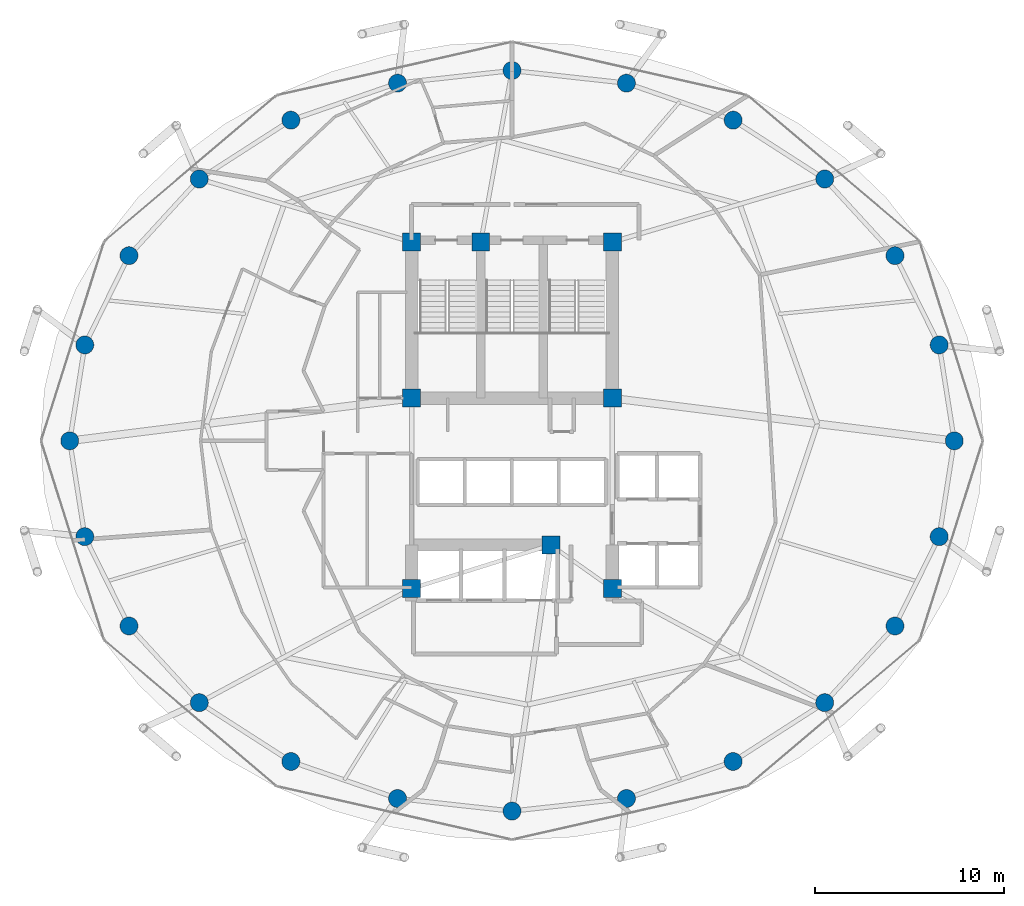
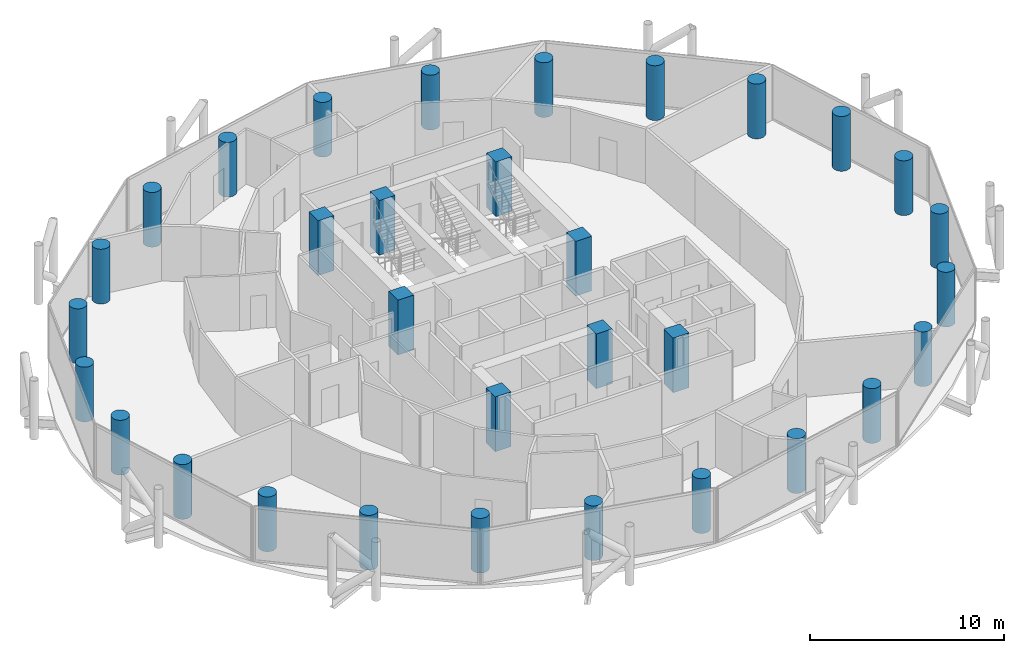
# One storey, part 1 of 26: 32 columns.
"""IFC4 building model written with IfcOpenShell, lengths in metres."""

from ifc_helpers import new_model, si_unit, direction, frame, origin, origin_2d, place, context, subcontext, project, spatial, rectangle, circle, extrude, material, material_profile, profile_set, type_object, element, save


model = new_model("IFC4")

# Units and contexts
model_context = context("Model", 3, precision=1e-05, world=origin(), true_north=direction((0.0, 1.0)))
body_context = subcontext(model_context, "Body", "Model", "MODEL_VIEW")
ifc_project = project(units=[si_unit("LENGTHUNIT", "METRE"), si_unit("AREAUNIT", "SQUARE_METRE"), si_unit("VOLUMEUNIT", "CUBIC_METRE"), si_unit("PLANEANGLEUNIT", "RADIAN"), si_unit("MASSUNIT", "GRAM", prefix="KILO")], contexts=[model_context])

# Site, building, storey
site_placement = place(None, origin())
site = spatial("IfcSite", under=ifc_project, at=site_placement, CompositionType="ELEMENT")
building_placement = place(site_placement, origin())
building = spatial("IfcBuilding", under=site, at=building_placement, Name="Nuhasar Tower", CompositionType="ELEMENT")
storey_placement = place(building_placement, frame((0.0, 0.0, 147.85009765625)))
storey = spatial("IfcBuildingStorey", under=building, at=storey_placement, Name="L35", CompositionType="ELEMENT", Elevation=147.85009765625)

# Columns
ifc_material = material(Name="Concrete C65/80", Category="concrete")
ifc_material_profile_1 = material_profile(ifc_material, circle(Radius=0.47509765625, at=origin_2d()), Name="CFT950")
ifc_profile_set_1 = profile_set([ifc_material_profile_1], Name="Concrete C65/80")
column_type_1 = type_object("IfcColumnType", Name="COL-CFT-950", PredefinedType="COLUMN", material=ifc_profile_set_1)
for number, where, z_axis, x_axis, name in (
    (1, (62.35009765625, 26.800048828125, 0.0), (0.0, 0.0, 1.0), (1.0, 0.0, 0.0), "L35 Perimeter Composite Column TC-01"),
    (2, (61.553955078125, 31.860107421875, 0.0), (0.0, 0.0, 1.0), (1.0, 0.0, 0.0), "L35 Perimeter Composite Column TC-02"),
    (3, (59.221923828125, 36.574951171875, 0.0), (0.0, 0.0, 1.0), (1.0, 0.0, 0.0), "L35 Perimeter Composite Column TC-03"),
    (4, (55.510986328125, 40.6240234375, 0.0), (0.0, 0.0, 1.0), (1.0, 0.0, 0.0), "L35 Perimeter Composite Column TC-04"),
    (5, (50.675048828125, 43.73095703125, 0.0), (0.0, 0.0, 1.0), (1.0, 0.0, 0.0), "L35 Perimeter Composite Column TC-05"),
    (6, (45.04296875, 45.68408203125, 0.0), (0.0, 0.0, 1.0), (1.0, 0.0, 0.0), "L35 Perimeter Composite Column TC-06"),
    (7, (39.0, 46.35009765625, 0.0), (0.0, 0.0, 1.0), (1.0, 0.0, 0.0), "L35 Perimeter Composite Column TC-07"),
    (8, (32.95703125, 45.68408203125, 0.0), (0.0, 0.0, 1.0), (1.0, 0.0, 0.0), "L35 Perimeter Composite Column TC-08"),
    (9, (27.324951171875, 43.73095703125, 0.0), (0.0, 0.0, 1.0), (1.0, 0.0, 0.0), "L35 Perimeter Composite Column TC-09"),
    (10, (22.489013671875, 40.6240234375, 0.0), (0.0, 0.0, 1.0), (1.0, 0.0, 0.0), "L35 Perimeter Composite Column TC-10"),
    (11, (18.778076171875, 36.574951171875, 0.0), (0.0, 0.0, 1.0), (1.0, 0.0, 0.0), "L35 Perimeter Composite Column TC-11"),
    (12, (16.446044921875, 31.860107421875, 0.0), (0.0, 0.0, 1.0), (1.0, 0.0, 0.0), "L35 Perimeter Composite Column TC-12"),
    (13, (15.64990234375, 26.800048828125, 0.0), (0.0, 0.0, 1.0), (1.0, 0.0, 0.0), "L35 Perimeter Composite Column TC-13"),
    (14, (16.446044921875, 21.739990234375, 0.0), (0.0, 0.0, 1.0), (1.0, 0.0, 0.0), "L35 Perimeter Composite Column TC-14"),
    (15, (18.778076171875, 17.02490234375, 0.0), (0.0, 0.0, 1.0), (1.0, 0.0, 0.0), "L35 Perimeter Composite Column TC-15"),
    (16, (22.489013671875, 12.97607421875, 0.0), (0.0, 0.0, 1.0), (1.0, 0.0, 0.0), "L35 Perimeter Composite Column TC-16"),
    (17, (27.324951171875, 9.868896484375, 0.0), (0.0, 0.0, 1.0), (1.0, 0.0, 0.0), "L35 Perimeter Composite Column TC-17"),
    (18, (32.95703125, 7.916015625, 0.0), (0.0, 0.0, 1.0), (1.0, 0.0, 0.0), "L35 Perimeter Composite Column TC-18"),
    (19, (39.0, 7.25, 0.0), (0.0, 0.0, 1.0), (1.0, 0.0, 0.0), "L35 Perimeter Composite Column TC-19"),
    (20, (45.04296875, 7.916015625, 0.0), (0.0, 0.0, 1.0), (1.0, 0.0, 0.0), "L35 Perimeter Composite Column TC-20"),
    (21, (50.675048828125, 9.868896484375, 0.0), (0.0, 0.0, 1.0), (1.0, 0.0, 0.0), "L35 Perimeter Composite Column TC-21"),
    (22, (55.510986328125, 12.97607421875, 0.0), (0.0, 0.0, 1.0), (1.0, 0.0, 0.0), "L35 Perimeter Composite Column TC-22"),
    (23, (59.221923828125, 17.02490234375, 0.0), (0.0, 0.0, 1.0), (1.0, 0.0, 0.0), "L35 Perimeter Composite Column TC-23"),
    (24, (61.553955078125, 21.739990234375, 0.0), (0.0, 0.0, 1.0), (1.0, 0.0, 0.0), "L35 Perimeter Composite Column TC-24"),
):
    element("IfcColumn", number, at=place(storey_placement, frame(where, z_axis=z_axis, x_axis=x_axis)), inside=storey, type_object=column_type_1, Name=name, PredefinedType="COLUMN", context=body_context, shape_type="SweptSolid", body=[
        extrude(circle(Radius=0.47509765625, at=origin_2d()), origin(), (0.0, 0.0, 1.0), 3.449951171875),
    ])
ifc_material_profile_2 = material_profile(ifc_material, rectangle(XDim=0.949951171875, YDim=0.949951171875, at=origin_2d()), Name="RC950X950")
ifc_profile_set_2 = profile_set([ifc_material_profile_2], Name="Concrete C65/80")
column_type_2 = type_object("IfcColumnType", Name="PIL-RC-950", PredefinedType="PILASTER", material=ifc_profile_set_2)
for number, where, z_axis, x_axis, name in (
    (25, (33.699951171875, 19.0, 0.0), (0.0, 0.0, 1.0), (1.0, 0.0, 0.0), "L35 Core Boundary Pilaster CC-01"),
    (26, (41.050048828125, 21.300048828125, 0.0), (0.0, 0.0, 1.0), (1.0, 0.0, 0.0), "L35 Core Boundary Pilaster CC-02"),
    (27, (44.300048828125, 19.0, 0.0), (0.0, 0.0, 1.0), (1.0, 0.0, 0.0), "L35 Core Boundary Pilaster CC-03"),
    (28, (44.300048828125, 29.050048828125, 0.0), (0.0, 0.0, 1.0), (1.0, 0.0, 0.0), "L35 Core Boundary Pilaster CC-04"),
    (29, (44.300048828125, 37.300048828125, 0.0), (0.0, 0.0, 1.0), (1.0, 0.0, 0.0), "L35 Core Boundary Pilaster CC-05"),
    (30, (37.35009765625, 37.300048828125, 0.0), (0.0, 0.0, 1.0), (1.0, 0.0, 0.0), "L35 Core Boundary Pilaster CC-06"),
    (31, (33.699951171875, 37.300048828125, 0.0), (0.0, 0.0, 1.0), (1.0, 0.0, 0.0), "L35 Core Boundary Pilaster CC-07"),
    (32, (33.699951171875, 29.050048828125, 0.0), (0.0, 0.0, 1.0), (1.0, 0.0, 0.0), "L35 Core Boundary Pilaster CC-08"),
):
    element("IfcColumn", number, at=place(storey_placement, frame(where, z_axis=z_axis, x_axis=x_axis)), inside=storey, type_object=column_type_2, Name=name, PredefinedType="PILASTER", context=body_context, shape_type="SweptSolid", body=[
        extrude(rectangle(XDim=0.949951171875, YDim=0.949951171875, at=origin_2d()), origin(), (0.0, 0.0, 1.0), 3.449951171875),
    ])

save(model, "model.ifc")
